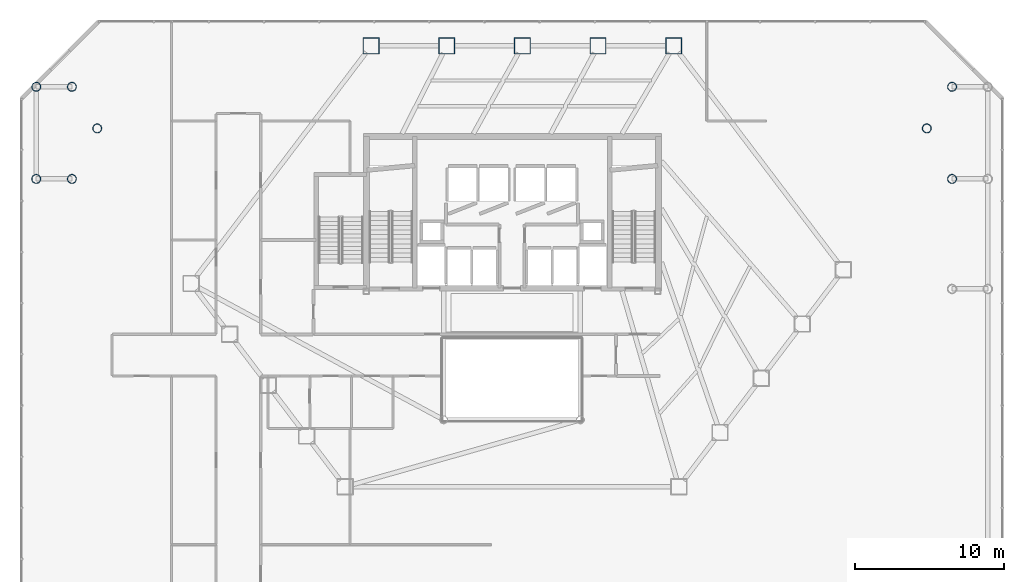
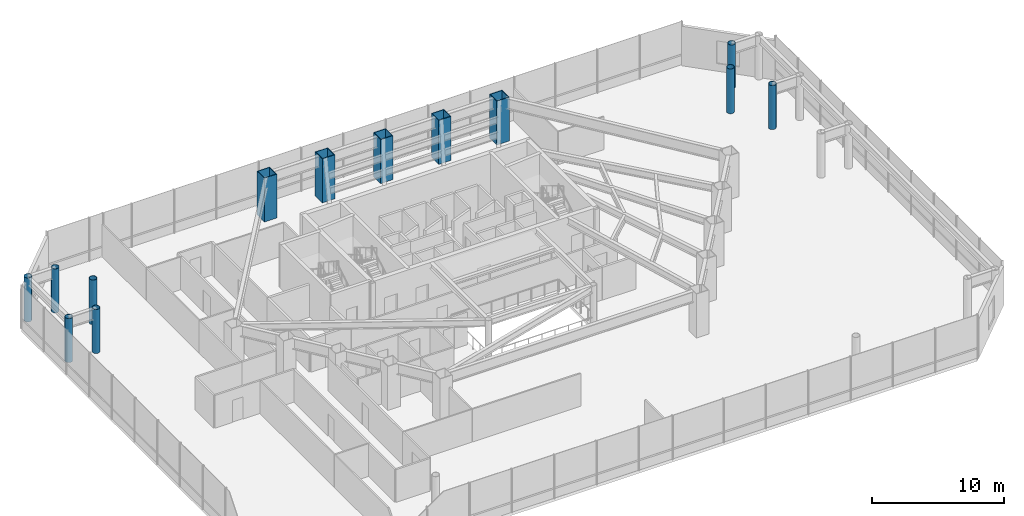
# One storey, part 2 of 33: 13 columns.
"""IFC4 building model written with IfcOpenShell, lengths in metres."""

from ifc_helpers import new_model, si_unit, direction, frame, origin, origin_2d, place, context, subcontext, project, spatial, hollow_rectangle, hollow_circle, extrude, material, material_profile, profile_set, type_object, element, save


model = new_model("IFC4")

# Units and contexts
model_context = context("Model", 3, precision=1e-05, world=origin(), true_north=direction((0.0, 1.0)))
body_context = subcontext(model_context, "Body", "Model", "MODEL_VIEW")
ifc_project = project(units=[si_unit("LENGTHUNIT", "METRE"), si_unit("AREAUNIT", "SQUARE_METRE"), si_unit("VOLUMEUNIT", "CUBIC_METRE"), si_unit("PLANEANGLEUNIT", "RADIAN"), si_unit("MASSUNIT", "GRAM", prefix="KILO")], contexts=[model_context])

# Site, building, storey
site_placement = place(None, origin())
site = spatial("IfcSite", under=ifc_project, at=site_placement, CompositionType="ELEMENT")
building_placement = place(site_placement, origin())
building = spatial("IfcBuilding", under=site, at=building_placement, Name="Zarrinselat Tower", CompositionType="ELEMENT")
storey_placement = place(building_placement, frame((0.0, 0.0, 18.360107421875)))
storey = spatial("IfcBuildingStorey", under=building, at=storey_placement, Name="L04", CompositionType="ELEMENT", Elevation=18.360107421875)

# Columns
ifc_material_1 = material(Name="Steel S355J2", Category="steel")
ifc_material_profile_1 = material_profile(ifc_material_1, hollow_circle(Radius=0.304931640625, WallThickness=0.02490234375, at=origin_2d()), Name="CHS 610x25")
ifc_profile_set_1 = profile_set([ifc_material_profile_1], Name="Steel S355J2")
column_type_1 = type_object("IfcColumnType", Name="COL-CHS610", PredefinedType="COLUMN", material=ifc_profile_set_1)
for number, where, z_axis, x_axis, name in (
    (1, (10.5, 44.0, 0.0), (0.0, 0.0, 1.0), (1.0, 0.0, 0.0), "L04 Garden Deck Support Column 3"),
    (2, (66.300048828125, 44.0, 0.0), (0.0, 0.0, 1.0), (1.0, 0.0, 0.0), "L04 Garden Deck Support Column 4"),
):
    element("IfcColumn", number, at=place(storey_placement, frame(where, z_axis=z_axis, x_axis=x_axis)), inside=storey, type_object=column_type_1, Name=name, PredefinedType="COLUMN", context=body_context, shape_type="SweptSolid", body=[
        extrude(hollow_circle(Radius=0.304931640625, WallThickness=0.02490234375, at=origin_2d()), origin(), (0.0, 0.0, 1.0), 4.139892578125),
    ])
for number, where, z_axis, x_axis, name in (
    (3, (6.39990234375, 40.60009765625, 0.0), (0.0, 0.0, 1.0), (1.0, 0.0, 0.0), "L04 Podium Outer Column W-40"),
    (4, (8.800048828125, 40.60009765625, 0.0), (0.0, 0.0, 1.0), (1.0, 0.0, 0.0), "L04 Podium Anchor Column W-40"),
    (5, (6.39990234375, 46.800048828125, 0.0), (0.0, 0.0, 1.0), (1.0, 0.0, 0.0), "L04 Podium Outer Column W-46"),
    (6, (8.800048828125, 46.800048828125, 0.0), (0.0, 0.0, 1.0), (1.0, 0.0, 0.0), "L04 Podium Anchor Column W-46"),
    (7, (68.0, 40.60009765625, 0.0), (0.0, 0.0, 1.0), (1.0, 0.0, 0.0), "L04 Podium Anchor Column E-40"),
    (8, (68.0, 46.800048828125, 0.0), (0.0, 0.0, 1.0), (1.0, 0.0, 0.0), "L04 Podium Anchor Column E-46"),
):
    element("IfcColumn", number, at=place(storey_placement, frame(where, z_axis=z_axis, x_axis=x_axis)), inside=storey, type_object=column_type_1, Name=name, PredefinedType="COLUMN", context=body_context, shape_type="SweptSolid", body=[
        extrude(hollow_circle(Radius=0.304931640625, WallThickness=0.02490234375, at=origin_2d()), origin(), (0.0, 0.0, 1.0), 4.06982421875),
    ])
ifc_material_2 = material(Name="Steel S460M", Category="steel")
ifc_material_profile_2 = material_profile(ifc_material_2, hollow_rectangle(XDim=1.10009765625, YDim=1.10009765625, WallThickness=0.054931640625, at=origin_2d()), Name="SHS 1100x1100x55")
ifc_profile_set_2 = profile_set([ifc_material_profile_2], Name="Steel S460M")
column_type_2 = type_object("IfcColumnType", Name="COL-SHS1100", PredefinedType="COLUMN", material=ifc_profile_set_2)
for number, where, z_axis, x_axis, name in (
    (9, (49.277099609375, 49.550048828125, 0.0), (0.0, 0.0, 1.0), (1.0, 0.0, 0.0), "L04 Framed-Tube Column T01"),
    (10, (44.1884765625, 49.550048828125, 0.0), (0.0, 0.0, 1.0), (1.0, 0.0, 0.0), "L04 Framed-Tube Column T02"),
    (11, (39.10009765625, 49.550048828125, 0.0), (0.0, 0.0, 1.0), (1.0, 0.0, 0.0), "L04 Framed-Tube Column T03"),
    (12, (34.011474609375, 49.550048828125, 0.0), (0.0, 0.0, 1.0), (1.0, 0.0, 0.0), "L04 Framed-Tube Column T04"),
    (13, (28.923095703125, 49.550048828125, 0.0), (0.0, 0.0, 1.0), (1.0, 0.0, 0.0), "L04 Framed-Tube Column T05"),
):
    element("IfcColumn", number, at=place(storey_placement, frame(where, z_axis=z_axis, x_axis=x_axis)), inside=storey, type_object=column_type_2, Name=name, PredefinedType="COLUMN", context=body_context, shape_type="SweptSolid", body=[
        extrude(hollow_rectangle(XDim=1.10009765625, YDim=1.10009765625, WallThickness=0.054931640625, at=origin_2d()), origin(), (0.0, 0.0, 1.0), 4.06982421875),
    ])

save(model, "model.ifc")
